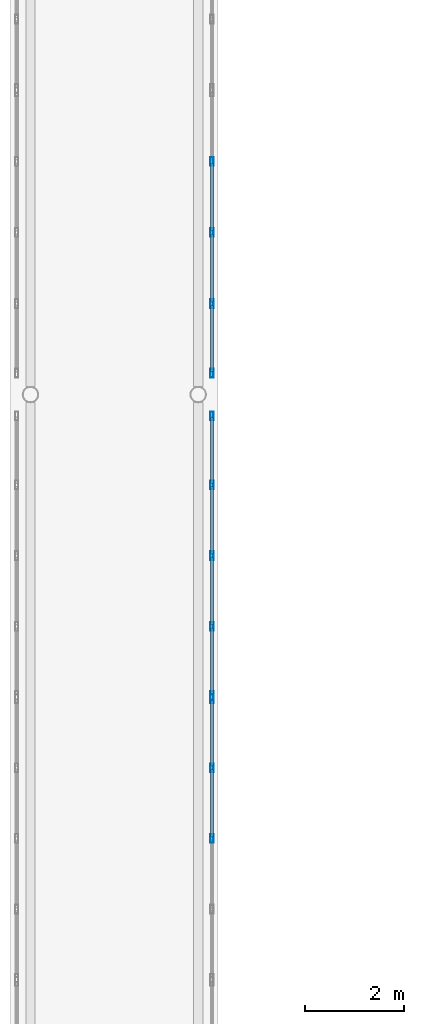
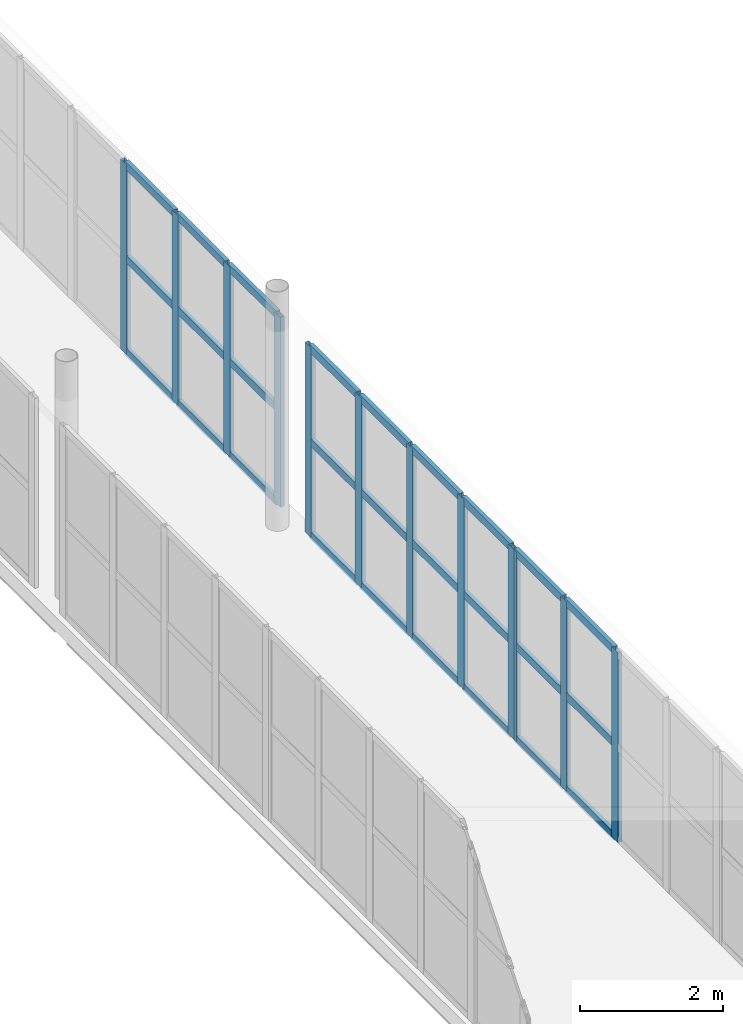
# One storey, part 66 of 146: 39 members, 3 elements without a shape of their own.
"""IFC4 building model written with IfcOpenShell, lengths in metres."""

from ifc_helpers import new_model, si_unit, direction, frame, origin, origin_2d, place, context, subcontext, project, spatial, hollow_rectangle, extrude, material, layer, layer_set, material_profile, profile_set, type_object, element, aggregate, save


model = new_model("IFC4")

# Units and contexts
model_context = context("Model", 3, precision=1e-05, world=origin(), true_north=direction((0.0, 1.0)))
body_context = subcontext(model_context, "Body", "Model", "MODEL_VIEW")
ifc_project = project(units=[si_unit("LENGTHUNIT", "METRE"), si_unit("AREAUNIT", "SQUARE_METRE"), si_unit("VOLUMEUNIT", "CUBIC_METRE"), si_unit("PLANEANGLEUNIT", "RADIAN"), si_unit("MASSUNIT", "GRAM", prefix="KILO")], contexts=[model_context])

# Site, building, storey
site_placement = place(None, origin())
site = spatial("IfcSite", under=ifc_project, at=site_placement, CompositionType="ELEMENT")
building_placement = place(site_placement, origin())
building = spatial("IfcBuilding", under=site, at=building_placement, Name="Valcora Specialist Clinic", CompositionType="ELEMENT")
storey_placement = place(building_placement, frame((0.0, 0.0, 9.52001953125)))
storey = spatial("IfcBuildingStorey", under=building, at=storey_placement, Name="L02", CompositionType="ELEMENT", Elevation=9.52001953125)

# Curtain wall, members
ifc_material = material(Name="Anodized Bronze Aluminium 6063-T6", Category="aluminium")
ifc_layer = layer(ifc_material, 0.175048828125)
ifc_layer_set = layer_set([ifc_layer], Name="Anodized Bronze Aluminium 6063-T6")
curtain_wall_type = type_object("IfcCurtainWallType", Name="TY-CW-BRG14", PredefinedType="NOTDEFINED", material=ifc_layer_set)
curtain_wall_1_placement = place(storey_placement, origin())
curtain_wall_1 = element("IfcCurtainWall", 1, at=curtain_wall_1_placement, inside=storey, type_object=curtain_wall_type, Name="Curtain wall CW-L02-262", PredefinedType="NOTDEFINED")
ifc_material_profile_1 = material_profile(ifc_material, hollow_rectangle(XDim=0.06494140625, YDim=0.175048828125, WallThickness=0.00390625, at=origin_2d()), Name="AL-MUL-65X175")
ifc_profile_set_1 = profile_set([ifc_material_profile_1], Name="Anodized Bronze Aluminium 6063-T6")
member_type_1 = type_object("IfcMemberType", Name="TY-CWM-65X175", PredefinedType="MULLION", material=ifc_profile_set_1)
member_1_placement = place(storey_placement, frame((65.280029296875, 47.0, 0.0), z_axis=(0.0, 0.0, 1.0), x_axis=(-1.0, 0.0, 0.0)))
member_1 = element("IfcMember", 2, at=member_1_placement, type_object=member_type_1, Name="CW-BRG-14 mullion 3", PredefinedType="MULLION", context=body_context, shape_type="SweptSolid", body=[
    extrude(hollow_rectangle(XDim=0.06494140625, YDim=0.175048828125, WallThickness=0.00390625, at=origin_2d()), origin(), (0.0, 0.0, 1.0), 3.239990234375),
])
member_2_placement = place(storey_placement, frame((65.280029296875, 48.433349609375, 0.0), z_axis=(0.0, 0.0, 1.0), x_axis=(-1.0, 0.0, 0.0)))
member_2 = element("IfcMember", 3, at=member_2_placement, type_object=member_type_1, Name="CW-BRG-14 mullion 4", PredefinedType="MULLION", context=body_context, shape_type="SweptSolid", body=[
    extrude(hollow_rectangle(XDim=0.06494140625, YDim=0.175048828125, WallThickness=0.00390625, at=origin_2d()), origin(), (0.0, 0.0, 1.0), 3.239990234375),
])
member_3_placement = place(storey_placement, frame((65.280029296875, 49.834228515625, 0.0), z_axis=(0.0, 0.0, 1.0), x_axis=(-1.0, 0.0, 0.0)))
member_3 = element("IfcMember", 4, at=member_3_placement, type_object=member_type_1, Name="CW-BRG-14 mullion 5", PredefinedType="MULLION", context=body_context, shape_type="SweptSolid", body=[
    extrude(hollow_rectangle(XDim=0.06494140625, YDim=0.175048828125, WallThickness=0.00390625, at=origin_2d()), origin(), (0.0, 0.0, 1.0), 3.239990234375),
])

curtain_wall_2_placement = place(storey_placement, origin())
curtain_wall_2 = element("IfcCurtainWall", 5, at=curtain_wall_2_placement, inside=storey, type_object=curtain_wall_type, Name="Curtain wall CW-L02-263", PredefinedType="NOTDEFINED")
member_4_placement = place(storey_placement, frame((65.280029296875, 49.899169921875, 0.0), z_axis=(0.0, 0.0, 1.0), x_axis=(-1.0, 0.0, 0.0)))
member_4 = element("IfcMember", 6, at=member_4_placement, type_object=member_type_1, Name="CW-BRG-14 mullion 1", PredefinedType="MULLION", context=body_context, shape_type="SweptSolid", body=[
    extrude(hollow_rectangle(XDim=0.06494140625, YDim=0.175048828125, WallThickness=0.00390625, at=origin_2d()), origin(), (0.0, 0.0, 1.0), 3.239990234375),
])
member_5_placement = place(storey_placement, frame((65.280029296875, 51.300048828125, 0.0), z_axis=(0.0, 0.0, 1.0), x_axis=(-1.0, 0.0, 0.0)))
member_5 = element("IfcMember", 7, at=member_5_placement, type_object=member_type_1, Name="CW-BRG-14 mullion 2", PredefinedType="MULLION", context=body_context, shape_type="SweptSolid", body=[
    extrude(hollow_rectangle(XDim=0.06494140625, YDim=0.175048828125, WallThickness=0.00390625, at=origin_2d()), origin(), (0.0, 0.0, 1.0), 3.239990234375),
])
member_6_placement = place(storey_placement, frame((65.280029296875, 52.7333984375, 0.0), z_axis=(0.0, 0.0, 1.0), x_axis=(-1.0, 0.0, 0.0)))
member_6 = element("IfcMember", 8, at=member_6_placement, type_object=member_type_1, Name="CW-BRG-14 mullion 3", PredefinedType="MULLION", context=body_context, shape_type="SweptSolid", body=[
    extrude(hollow_rectangle(XDim=0.06494140625, YDim=0.175048828125, WallThickness=0.00390625, at=origin_2d()), origin(), (0.0, 0.0, 1.0), 3.239990234375),
])
member_7_placement = place(storey_placement, frame((65.280029296875, 54.166748046875, 0.0), z_axis=(0.0, 0.0, 1.0), x_axis=(-1.0, 0.0, 0.0)))
member_7 = element("IfcMember", 9, at=member_7_placement, type_object=member_type_1, Name="CW-BRG-14 mullion 4", PredefinedType="MULLION", context=body_context, shape_type="SweptSolid", body=[
    extrude(hollow_rectangle(XDim=0.06494140625, YDim=0.175048828125, WallThickness=0.00390625, at=origin_2d()), origin(), (0.0, 0.0, 1.0), 3.239990234375),
])
member_8_placement = place(storey_placement, frame((65.280029296875, 55.5673828125, 0.0), z_axis=(0.0, 0.0, 1.0), x_axis=(-1.0, 0.0, 0.0)))
member_8 = element("IfcMember", 10, at=member_8_placement, type_object=member_type_1, Name="CW-BRG-14 mullion 5", PredefinedType="MULLION", context=body_context, shape_type="SweptSolid", body=[
    extrude(hollow_rectangle(XDim=0.06494140625, YDim=0.175048828125, WallThickness=0.00390625, at=origin_2d()), origin(), (0.0, 0.0, 1.0), 3.239990234375),
])

curtain_wall_3_placement = place(storey_placement, origin())
curtain_wall_3 = element("IfcCurtainWall", 11, at=curtain_wall_3_placement, inside=storey, type_object=curtain_wall_type, Name="Curtain wall CW-L02-264", PredefinedType="NOTDEFINED")
member_9_placement = place(storey_placement, frame((65.280029296875, 56.4326171875, 0.0), z_axis=(0.0, 0.0, 1.0), x_axis=(-1.0, 0.0, 0.0)))
member_9 = element("IfcMember", 12, at=member_9_placement, type_object=member_type_1, Name="CW-BRG-14 mullion 1", PredefinedType="MULLION", context=body_context, shape_type="SweptSolid", body=[
    extrude(hollow_rectangle(XDim=0.06494140625, YDim=0.175048828125, WallThickness=0.00390625, at=origin_2d()), origin(), (0.0, 0.0, 1.0), 3.239990234375),
])
member_10_placement = place(storey_placement, frame((65.280029296875, 57.841796875, 0.0), z_axis=(0.0, 0.0, 1.0), x_axis=(-1.0, 0.0, 0.0)))
member_10 = element("IfcMember", 13, at=member_10_placement, type_object=member_type_1, Name="CW-BRG-14 mullion 2", PredefinedType="MULLION", context=body_context, shape_type="SweptSolid", body=[
    extrude(hollow_rectangle(XDim=0.06494140625, YDim=0.175048828125, WallThickness=0.00390625, at=origin_2d()), origin(), (0.0, 0.0, 1.0), 3.239990234375),
])
member_11_placement = place(storey_placement, frame((65.280029296875, 59.283447265625, 0.0), z_axis=(0.0, 0.0, 1.0), x_axis=(-1.0, 0.0, 0.0)))
member_11 = element("IfcMember", 14, at=member_11_placement, type_object=member_type_1, Name="CW-BRG-14 mullion 3", PredefinedType="MULLION", context=body_context, shape_type="SweptSolid", body=[
    extrude(hollow_rectangle(XDim=0.06494140625, YDim=0.175048828125, WallThickness=0.00390625, at=origin_2d()), origin(), (0.0, 0.0, 1.0), 3.239990234375),
])
member_12_placement = place(storey_placement, frame((65.280029296875, 60.72509765625, 0.0), z_axis=(0.0, 0.0, 1.0), x_axis=(-1.0, 0.0, 0.0)))
member_12 = element("IfcMember", 15, at=member_12_placement, type_object=member_type_1, Name="CW-BRG-14 mullion 4", PredefinedType="MULLION", context=body_context, shape_type="SweptSolid", body=[
    extrude(hollow_rectangle(XDim=0.06494140625, YDim=0.175048828125, WallThickness=0.00390625, at=origin_2d()), origin(), (0.0, 0.0, 1.0), 3.239990234375),
])

# Member
ifc_material_profile_2 = material_profile(ifc_material, hollow_rectangle(XDim=0.06494140625, YDim=0.1298828125, WallThickness=0.00390625, at=origin_2d()), Name="AL-TRN-65X130")
ifc_profile_set_2 = profile_set([ifc_material_profile_2], Name="Anodized Bronze Aluminium 6063-T6")
member_type_2 = type_object("IfcMemberType", Name="TY-CWT-65X130", PredefinedType="USERDEFINED", material=ifc_profile_set_2)
member_13_placement = place(storey_placement, frame((65.280029296875, 47.032470703125, 0.032470703125), z_axis=(0.0, 1.0, 0.0), x_axis=(-1.0, 0.0, 0.0)))
member_13 = element("IfcMember", 16, at=member_13_placement, type_object=member_type_2, Name="CW-BRG-14 transom 3.1", ObjectType="TRANSOM", PredefinedType="USERDEFINED", context=body_context, shape_type="SweptSolid", body=[
    extrude(hollow_rectangle(XDim=0.06494140625, YDim=0.1298828125, WallThickness=0.00390625, at=origin_2d()), origin(), (0.0, 0.0, 1.0), 1.368408203125),
])

member_14_placement = place(storey_placement, frame((65.280029296875, 47.032470703125, 1.619873046875), z_axis=(0.0, 1.0, 0.0), x_axis=(-1.0, 0.0, 0.0)))
member_14 = element("IfcMember", 17, at=member_14_placement, type_object=member_type_2, Name="CW-BRG-14 transom 3.2", ObjectType="TRANSOM", PredefinedType="USERDEFINED", context=body_context, shape_type="SweptSolid", body=[
    extrude(hollow_rectangle(XDim=0.06494140625, YDim=0.1298828125, WallThickness=0.00390625, at=origin_2d()), origin(), (0.0, 0.0, 1.0), 1.368408203125),
])

member_15_placement = place(storey_placement, frame((65.280029296875, 47.032470703125, 3.20751953125), z_axis=(0.0, 1.0, 0.0), x_axis=(-1.0, 0.0, 0.0)))
member_15 = element("IfcMember", 18, at=member_15_placement, type_object=member_type_2, Name="CW-BRG-14 transom 3.3", ObjectType="TRANSOM", PredefinedType="USERDEFINED", context=body_context, shape_type="SweptSolid", body=[
    extrude(hollow_rectangle(XDim=0.06494140625, YDim=0.1298828125, WallThickness=0.00390625, at=origin_2d()), origin(), (0.0, 0.0, 1.0), 1.368408203125),
])

member_16_placement = place(storey_placement, frame((65.280029296875, 48.4658203125, 0.032470703125), z_axis=(0.0, 1.0, 0.0), x_axis=(-1.0, 0.0, 0.0)))
member_16 = element("IfcMember", 19, at=member_16_placement, type_object=member_type_2, Name="CW-BRG-14 transom 4.1", ObjectType="TRANSOM", PredefinedType="USERDEFINED", context=body_context, shape_type="SweptSolid", body=[
    extrude(hollow_rectangle(XDim=0.06494140625, YDim=0.1298828125, WallThickness=0.00390625, at=origin_2d()), origin(), (0.0, 0.0, 1.0), 1.3359375),
])

member_17_placement = place(storey_placement, frame((65.280029296875, 48.4658203125, 1.619873046875), z_axis=(0.0, 1.0, 0.0), x_axis=(-1.0, 0.0, 0.0)))
member_17 = element("IfcMember", 20, at=member_17_placement, type_object=member_type_2, Name="CW-BRG-14 transom 4.2", ObjectType="TRANSOM", PredefinedType="USERDEFINED", context=body_context, shape_type="SweptSolid", body=[
    extrude(hollow_rectangle(XDim=0.06494140625, YDim=0.1298828125, WallThickness=0.00390625, at=origin_2d()), origin(), (0.0, 0.0, 1.0), 1.3359375),
])

member_18_placement = place(storey_placement, frame((65.280029296875, 48.4658203125, 3.20751953125), z_axis=(0.0, 1.0, 0.0), x_axis=(-1.0, 0.0, 0.0)))
member_18 = element("IfcMember", 21, at=member_18_placement, type_object=member_type_2, Name="CW-BRG-14 transom 4.3", ObjectType="TRANSOM", PredefinedType="USERDEFINED", context=body_context, shape_type="SweptSolid", body=[
    extrude(hollow_rectangle(XDim=0.06494140625, YDim=0.1298828125, WallThickness=0.00390625, at=origin_2d()), origin(), (0.0, 0.0, 1.0), 1.3359375),
])

aggregate(curtain_wall_1, [member_1, member_2, member_3, member_13, member_14, member_15, member_16, member_17, member_18])

member_19_placement = place(storey_placement, frame((65.280029296875, 49.931640625, 0.032470703125), z_axis=(0.0, 1.0, 0.0), x_axis=(-1.0, 0.0, 0.0)))
member_19 = element("IfcMember", 22, at=member_19_placement, type_object=member_type_2, Name="CW-BRG-14 transom 1.1", ObjectType="TRANSOM", PredefinedType="USERDEFINED", context=body_context, shape_type="SweptSolid", body=[
    extrude(hollow_rectangle(XDim=0.06494140625, YDim=0.1298828125, WallThickness=0.00390625, at=origin_2d()), origin(), (0.0, 0.0, 1.0), 1.3359375),
])

member_20_placement = place(storey_placement, frame((65.280029296875, 49.931640625, 1.619873046875), z_axis=(0.0, 1.0, 0.0), x_axis=(-1.0, 0.0, 0.0)))
member_20 = element("IfcMember", 23, at=member_20_placement, type_object=member_type_2, Name="CW-BRG-14 transom 1.2", ObjectType="TRANSOM", PredefinedType="USERDEFINED", context=body_context, shape_type="SweptSolid", body=[
    extrude(hollow_rectangle(XDim=0.06494140625, YDim=0.1298828125, WallThickness=0.00390625, at=origin_2d()), origin(), (0.0, 0.0, 1.0), 1.3359375),
])

member_21_placement = place(storey_placement, frame((65.280029296875, 49.931640625, 3.20751953125), z_axis=(0.0, 1.0, 0.0), x_axis=(-1.0, 0.0, 0.0)))
member_21 = element("IfcMember", 24, at=member_21_placement, type_object=member_type_2, Name="CW-BRG-14 transom 1.3", ObjectType="TRANSOM", PredefinedType="USERDEFINED", context=body_context, shape_type="SweptSolid", body=[
    extrude(hollow_rectangle(XDim=0.06494140625, YDim=0.1298828125, WallThickness=0.00390625, at=origin_2d()), origin(), (0.0, 0.0, 1.0), 1.3359375),
])

member_22_placement = place(storey_placement, frame((65.280029296875, 51.33251953125, 0.032470703125), z_axis=(0.0, 1.0, 0.0), x_axis=(-1.0, 0.0, 0.0)))
member_22 = element("IfcMember", 25, at=member_22_placement, type_object=member_type_2, Name="CW-BRG-14 transom 2.1", ObjectType="TRANSOM", PredefinedType="USERDEFINED", context=body_context, shape_type="SweptSolid", body=[
    extrude(hollow_rectangle(XDim=0.06494140625, YDim=0.1298828125, WallThickness=0.00390625, at=origin_2d()), origin(), (0.0, 0.0, 1.0), 1.368408203125),
])

member_23_placement = place(storey_placement, frame((65.280029296875, 51.33251953125, 1.619873046875), z_axis=(0.0, 1.0, 0.0), x_axis=(-1.0, 0.0, 0.0)))
member_23 = element("IfcMember", 26, at=member_23_placement, type_object=member_type_2, Name="CW-BRG-14 transom 2.2", ObjectType="TRANSOM", PredefinedType="USERDEFINED", context=body_context, shape_type="SweptSolid", body=[
    extrude(hollow_rectangle(XDim=0.06494140625, YDim=0.1298828125, WallThickness=0.00390625, at=origin_2d()), origin(), (0.0, 0.0, 1.0), 1.368408203125),
])

member_24_placement = place(storey_placement, frame((65.280029296875, 51.33251953125, 3.20751953125), z_axis=(0.0, 1.0, 0.0), x_axis=(-1.0, 0.0, 0.0)))
member_24 = element("IfcMember", 27, at=member_24_placement, type_object=member_type_2, Name="CW-BRG-14 transom 2.3", ObjectType="TRANSOM", PredefinedType="USERDEFINED", context=body_context, shape_type="SweptSolid", body=[
    extrude(hollow_rectangle(XDim=0.06494140625, YDim=0.1298828125, WallThickness=0.00390625, at=origin_2d()), origin(), (0.0, 0.0, 1.0), 1.368408203125),
])

member_25_placement = place(storey_placement, frame((65.280029296875, 52.765869140625, 0.032470703125), z_axis=(0.0, 1.0, 0.0), x_axis=(-1.0, 0.0, 0.0)))
member_25 = element("IfcMember", 28, at=member_25_placement, type_object=member_type_2, Name="CW-BRG-14 transom 3.1", ObjectType="TRANSOM", PredefinedType="USERDEFINED", context=body_context, shape_type="SweptSolid", body=[
    extrude(hollow_rectangle(XDim=0.06494140625, YDim=0.1298828125, WallThickness=0.00390625, at=origin_2d()), origin(), (0.0, 0.0, 1.0), 1.368408203125),
])

member_26_placement = place(storey_placement, frame((65.280029296875, 52.765869140625, 1.619873046875), z_axis=(0.0, 1.0, 0.0), x_axis=(-1.0, 0.0, 0.0)))
member_26 = element("IfcMember", 29, at=member_26_placement, type_object=member_type_2, Name="CW-BRG-14 transom 3.2", ObjectType="TRANSOM", PredefinedType="USERDEFINED", context=body_context, shape_type="SweptSolid", body=[
    extrude(hollow_rectangle(XDim=0.06494140625, YDim=0.1298828125, WallThickness=0.00390625, at=origin_2d()), origin(), (0.0, 0.0, 1.0), 1.368408203125),
])

member_27_placement = place(storey_placement, frame((65.280029296875, 52.765869140625, 3.20751953125), z_axis=(0.0, 1.0, 0.0), x_axis=(-1.0, 0.0, 0.0)))
member_27 = element("IfcMember", 30, at=member_27_placement, type_object=member_type_2, Name="CW-BRG-14 transom 3.3", ObjectType="TRANSOM", PredefinedType="USERDEFINED", context=body_context, shape_type="SweptSolid", body=[
    extrude(hollow_rectangle(XDim=0.06494140625, YDim=0.1298828125, WallThickness=0.00390625, at=origin_2d()), origin(), (0.0, 0.0, 1.0), 1.368408203125),
])

member_28_placement = place(storey_placement, frame((65.280029296875, 54.19921875, 0.032470703125), z_axis=(0.0, 1.0, 0.0), x_axis=(-1.0, 0.0, 0.0)))
member_28 = element("IfcMember", 31, at=member_28_placement, type_object=member_type_2, Name="CW-BRG-14 transom 4.1", ObjectType="TRANSOM", PredefinedType="USERDEFINED", context=body_context, shape_type="SweptSolid", body=[
    extrude(hollow_rectangle(XDim=0.06494140625, YDim=0.1298828125, WallThickness=0.00390625, at=origin_2d()), origin(), (0.0, 0.0, 1.0), 1.335693359375),
])

member_29_placement = place(storey_placement, frame((65.280029296875, 54.19921875, 1.619873046875), z_axis=(0.0, 1.0, 0.0), x_axis=(-1.0, 0.0, 0.0)))
member_29 = element("IfcMember", 32, at=member_29_placement, type_object=member_type_2, Name="CW-BRG-14 transom 4.2", ObjectType="TRANSOM", PredefinedType="USERDEFINED", context=body_context, shape_type="SweptSolid", body=[
    extrude(hollow_rectangle(XDim=0.06494140625, YDim=0.1298828125, WallThickness=0.00390625, at=origin_2d()), origin(), (0.0, 0.0, 1.0), 1.335693359375),
])

member_30_placement = place(storey_placement, frame((65.280029296875, 54.19921875, 3.20751953125), z_axis=(0.0, 1.0, 0.0), x_axis=(-1.0, 0.0, 0.0)))
member_30 = element("IfcMember", 33, at=member_30_placement, type_object=member_type_2, Name="CW-BRG-14 transom 4.3", ObjectType="TRANSOM", PredefinedType="USERDEFINED", context=body_context, shape_type="SweptSolid", body=[
    extrude(hollow_rectangle(XDim=0.06494140625, YDim=0.1298828125, WallThickness=0.00390625, at=origin_2d()), origin(), (0.0, 0.0, 1.0), 1.335693359375),
])

aggregate(curtain_wall_2, [member_4, member_5, member_6, member_7, member_8, member_19, member_20, member_21, member_22, member_23, member_24, member_25, member_26, member_27, member_28, member_29, member_30])

member_31_placement = place(storey_placement, frame((65.280029296875, 56.465087890625, 0.032470703125), z_axis=(0.0, 1.0, 0.0), x_axis=(-1.0, 0.0, 0.0)))
member_31 = element("IfcMember", 34, at=member_31_placement, type_object=member_type_2, Name="CW-BRG-14 transom 1.1", ObjectType="TRANSOM", PredefinedType="USERDEFINED", context=body_context, shape_type="SweptSolid", body=[
    extrude(hollow_rectangle(XDim=0.06494140625, YDim=0.1298828125, WallThickness=0.00390625, at=origin_2d()), origin(), (0.0, 0.0, 1.0), 1.343994140625),
])

member_32_placement = place(storey_placement, frame((65.280029296875, 56.465087890625, 1.619873046875), z_axis=(0.0, 1.0, 0.0), x_axis=(-1.0, 0.0, 0.0)))
member_32 = element("IfcMember", 35, at=member_32_placement, type_object=member_type_2, Name="CW-BRG-14 transom 1.2", ObjectType="TRANSOM", PredefinedType="USERDEFINED", context=body_context, shape_type="SweptSolid", body=[
    extrude(hollow_rectangle(XDim=0.06494140625, YDim=0.1298828125, WallThickness=0.00390625, at=origin_2d()), origin(), (0.0, 0.0, 1.0), 1.343994140625),
])

member_33_placement = place(storey_placement, frame((65.280029296875, 56.465087890625, 3.20751953125), z_axis=(0.0, 1.0, 0.0), x_axis=(-1.0, 0.0, 0.0)))
member_33 = element("IfcMember", 36, at=member_33_placement, type_object=member_type_2, Name="CW-BRG-14 transom 1.3", ObjectType="TRANSOM", PredefinedType="USERDEFINED", context=body_context, shape_type="SweptSolid", body=[
    extrude(hollow_rectangle(XDim=0.06494140625, YDim=0.1298828125, WallThickness=0.00390625, at=origin_2d()), origin(), (0.0, 0.0, 1.0), 1.343994140625),
])

member_34_placement = place(storey_placement, frame((65.280029296875, 57.874267578125, 0.032470703125), z_axis=(0.0, 1.0, 0.0), x_axis=(-1.0, 0.0, 0.0)))
member_34 = element("IfcMember", 37, at=member_34_placement, type_object=member_type_2, Name="CW-BRG-14 transom 2.1", ObjectType="TRANSOM", PredefinedType="USERDEFINED", context=body_context, shape_type="SweptSolid", body=[
    extrude(hollow_rectangle(XDim=0.06494140625, YDim=0.1298828125, WallThickness=0.00390625, at=origin_2d()), origin(), (0.0, 0.0, 1.0), 1.37646484375),
])

member_35_placement = place(storey_placement, frame((65.280029296875, 57.874267578125, 1.619873046875), z_axis=(0.0, 1.0, 0.0), x_axis=(-1.0, 0.0, 0.0)))
member_35 = element("IfcMember", 38, at=member_35_placement, type_object=member_type_2, Name="CW-BRG-14 transom 2.2", ObjectType="TRANSOM", PredefinedType="USERDEFINED", context=body_context, shape_type="SweptSolid", body=[
    extrude(hollow_rectangle(XDim=0.06494140625, YDim=0.1298828125, WallThickness=0.00390625, at=origin_2d()), origin(), (0.0, 0.0, 1.0), 1.37646484375),
])

member_36_placement = place(storey_placement, frame((65.280029296875, 57.874267578125, 3.20751953125), z_axis=(0.0, 1.0, 0.0), x_axis=(-1.0, 0.0, 0.0)))
member_36 = element("IfcMember", 39, at=member_36_placement, type_object=member_type_2, Name="CW-BRG-14 transom 2.3", ObjectType="TRANSOM", PredefinedType="USERDEFINED", context=body_context, shape_type="SweptSolid", body=[
    extrude(hollow_rectangle(XDim=0.06494140625, YDim=0.1298828125, WallThickness=0.00390625, at=origin_2d()), origin(), (0.0, 0.0, 1.0), 1.37646484375),
])

member_37_placement = place(storey_placement, frame((65.280029296875, 59.31591796875, 0.032470703125), z_axis=(0.0, 1.0, 0.0), x_axis=(-1.0, 0.0, 0.0)))
member_37 = element("IfcMember", 40, at=member_37_placement, type_object=member_type_2, Name="CW-BRG-14 transom 3.1", ObjectType="TRANSOM", PredefinedType="USERDEFINED", context=body_context, shape_type="SweptSolid", body=[
    extrude(hollow_rectangle(XDim=0.06494140625, YDim=0.1298828125, WallThickness=0.00390625, at=origin_2d()), origin(), (0.0, 0.0, 1.0), 1.376708984375),
])

member_38_placement = place(storey_placement, frame((65.280029296875, 59.31591796875, 1.619873046875), z_axis=(0.0, 1.0, 0.0), x_axis=(-1.0, 0.0, 0.0)))
member_38 = element("IfcMember", 41, at=member_38_placement, type_object=member_type_2, Name="CW-BRG-14 transom 3.2", ObjectType="TRANSOM", PredefinedType="USERDEFINED", context=body_context, shape_type="SweptSolid", body=[
    extrude(hollow_rectangle(XDim=0.06494140625, YDim=0.1298828125, WallThickness=0.00390625, at=origin_2d()), origin(), (0.0, 0.0, 1.0), 1.376708984375),
])

member_39_placement = place(storey_placement, frame((65.280029296875, 59.31591796875, 3.20751953125), z_axis=(0.0, 1.0, 0.0), x_axis=(-1.0, 0.0, 0.0)))
member_39 = element("IfcMember", 42, at=member_39_placement, type_object=member_type_2, Name="CW-BRG-14 transom 3.3", ObjectType="TRANSOM", PredefinedType="USERDEFINED", context=body_context, shape_type="SweptSolid", body=[
    extrude(hollow_rectangle(XDim=0.06494140625, YDim=0.1298828125, WallThickness=0.00390625, at=origin_2d()), origin(), (0.0, 0.0, 1.0), 1.376708984375),
])

aggregate(curtain_wall_3, [member_9, member_10, member_11, member_12, member_31, member_32, member_33, member_34, member_35, member_36, member_37, member_38, member_39])

save(model, "model.ifc")
